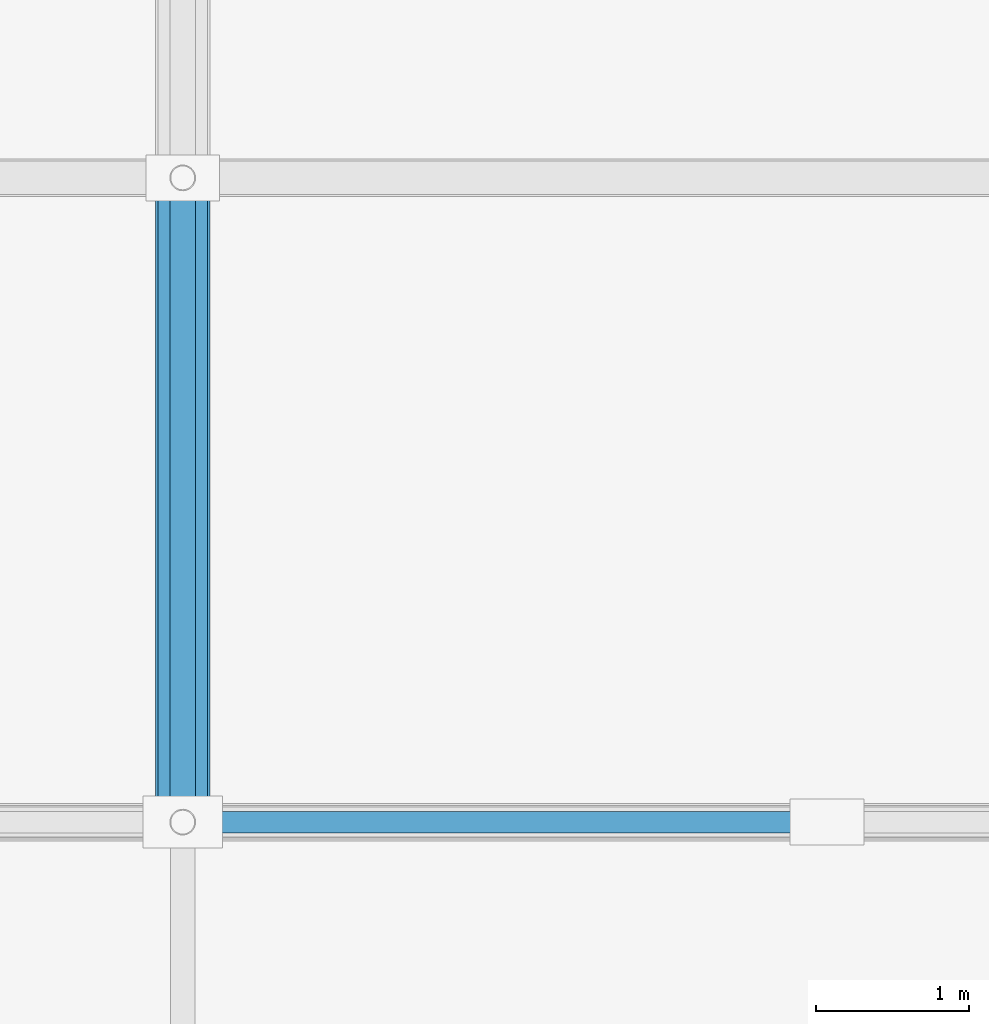
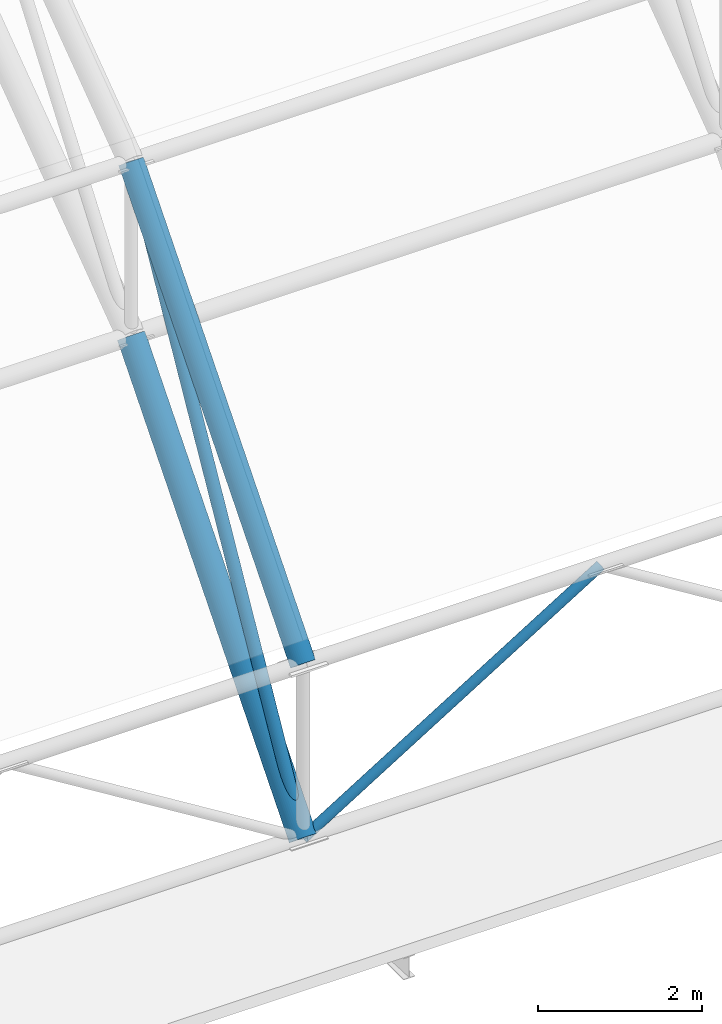
# One storey, part 22 of 103: 2 beams, 2 members.
"""IFC4 building model written with IfcOpenShell, lengths in metres."""

from ifc_helpers import new_model, si_unit, direction, frame, origin, origin_2d, place, context, subcontext, project, spatial, hollow_circle, extrude, material, material_profile, profile_set, type_object, element, save


model = new_model("IFC4")

# Units and contexts
model_context = context("Model", 3, precision=1e-05, world=origin(), true_north=direction((0.0, 1.0)))
body_context = subcontext(model_context, "Body", "Model", "MODEL_VIEW")
ifc_project = project(units=[si_unit("LENGTHUNIT", "METRE"), si_unit("AREAUNIT", "SQUARE_METRE"), si_unit("VOLUMEUNIT", "CUBIC_METRE"), si_unit("PLANEANGLEUNIT", "RADIAN"), si_unit("MASSUNIT", "GRAM", prefix="KILO")], contexts=[model_context])

# Site, building, storey
site_placement = place(None, origin())
site = spatial("IfcSite", under=ifc_project, at=site_placement, CompositionType="ELEMENT")
building_placement = place(site_placement, origin())
building = spatial("IfcBuilding", under=site, at=building_placement, Name="Varnapada Polytechnic", CompositionType="ELEMENT")
storey_placement = place(building_placement, frame((0.0, 0.0, 18.0)))
storey = spatial("IfcBuildingStorey", under=building, at=storey_placement, Name="L04", CompositionType="ELEMENT", Elevation=18.0)

# Beam
ifc_material = material(Name="Steel S355", Category="steel")
ifc_material_profile_1 = material_profile(ifc_material, hollow_circle(Radius=0.177734375, WallThickness=0.012451171875, at=origin_2d()), Name="CHS 355.6x12.5")
ifc_profile_set_1 = profile_set([ifc_material_profile_1], Name="Steel S355")
beam_type_1 = type_object("IfcBeamType", Name="Vaulted space frame primary arch rib VA-01 (CHS 355.6x12.5)", PredefinedType="BEAM", material=ifc_profile_set_1)
beam_1_placement = place(storey_placement, frame((92.39990234375, 84.0, 0.0), z_axis=(0.0, 0.647032448214, 0.762462465279), x_axis=(-1.0, 0.0, 0.0)))
element("IfcBeam", 1, at=beam_1_placement, inside=storey, type_object=beam_type_1, Name="Vaulted space frame bottom arch chord 6.1", PredefinedType="BEAM", context=body_context, shape_type="SweptSolid", body=[
    extrude(hollow_circle(Radius=0.177734375, WallThickness=0.012451171875, at=origin_2d()), origin(), (0.0, 0.0, 1.0), 6.4912109375),
])

# Members
ifc_material_profile_2 = material_profile(ifc_material, hollow_circle(Radius=0.084228515625, WallThickness=0.00634765625, at=origin_2d()), Name="CHS 168.3x6.3")
ifc_profile_set_2 = profile_set([ifc_material_profile_2], Name="Steel S355")
member_type_1 = type_object("IfcMemberType", Name="Vaulted space frame primary web diagonal SFB-01 (CHS 168.3x6.3)", PredefinedType="BRACE", material=ifc_profile_set_2)
member_1_placement = place(storey_placement, frame((92.39990234375, 84.0, 0.0), z_axis=(0.0, 0.486175535898, 0.873861172209), x_axis=(-1.0, 0.0, 0.0)))
element("IfcMember", 2, at=member_1_placement, inside=storey, type_object=member_type_1, Name="Vaulted space frame web diagonal 6.1", PredefinedType="BRACE", context=body_context, shape_type="SweptSolid", body=[
    extrude(hollow_circle(Radius=0.084228515625, WallThickness=0.00634765625, at=origin_2d()), origin(), (0.0, 0.0, 1.0), 8.638671875),
])
ifc_material_profile_3 = material_profile(ifc_material, hollow_circle(Radius=0.06982421875, WallThickness=0.0048828125, at=origin_2d()), Name="CHS 139.7x5.0")
ifc_profile_set_3 = profile_set([ifc_material_profile_3], Name="Steel S355")
member_type_2 = type_object("IfcMemberType", Name="Vaulted space frame secondary web diagonal SFB-02 (CHS 139.7x5.0)", PredefinedType="BRACE", material=ifc_profile_set_3)
member_2_placement = place(storey_placement, frame((92.39990234375, 84.0, 0.0), z_axis=(0.85026725322, 0.0, 0.526351211741), x_axis=(0.0, 1.0, 0.0)))
element("IfcMember", 3, at=member_2_placement, inside=storey, type_object=member_type_2, Name="Vaulted space frame longitudinal brace 6.1A", PredefinedType="BRACE", context=body_context, shape_type="SweptSolid", body=[
    extrude(hollow_circle(Radius=0.06982421875, WallThickness=0.0048828125, at=origin_2d()), origin(), (0.0, 0.0, 1.0), 4.93994140625),
])

# Beam
ifc_material_profile_4 = material_profile(ifc_material, hollow_circle(Radius=0.161865234375, WallThickness=0.010009765625, at=origin_2d()), Name="CHS 323.9x10.0")
ifc_profile_set_4 = profile_set([ifc_material_profile_4], Name="Steel S355")
beam_type_2 = type_object("IfcBeamType", Name="Vaulted space frame upper arch rib VA-02 (CHS 323.9x10.0)", PredefinedType="BEAM", material=ifc_profile_set_4)
beam_2_placement = place(storey_placement, frame((92.39990234375, 84.0, 2.60009765625), z_axis=(0.0, 0.647051003787, 0.762446718465), x_axis=(-1.0, 0.0, 0.0)))
element("IfcBeam", 4, at=beam_2_placement, inside=storey, type_object=beam_type_2, Name="Vaulted space frame top arch chord 6.1", PredefinedType="BEAM", context=body_context, shape_type="SweptSolid", body=[
    extrude(hollow_circle(Radius=0.161865234375, WallThickness=0.010009765625, at=origin_2d()), origin(), (0.0, 0.0, 1.0), 6.490966796875),
])

save(model, "model.ifc")
